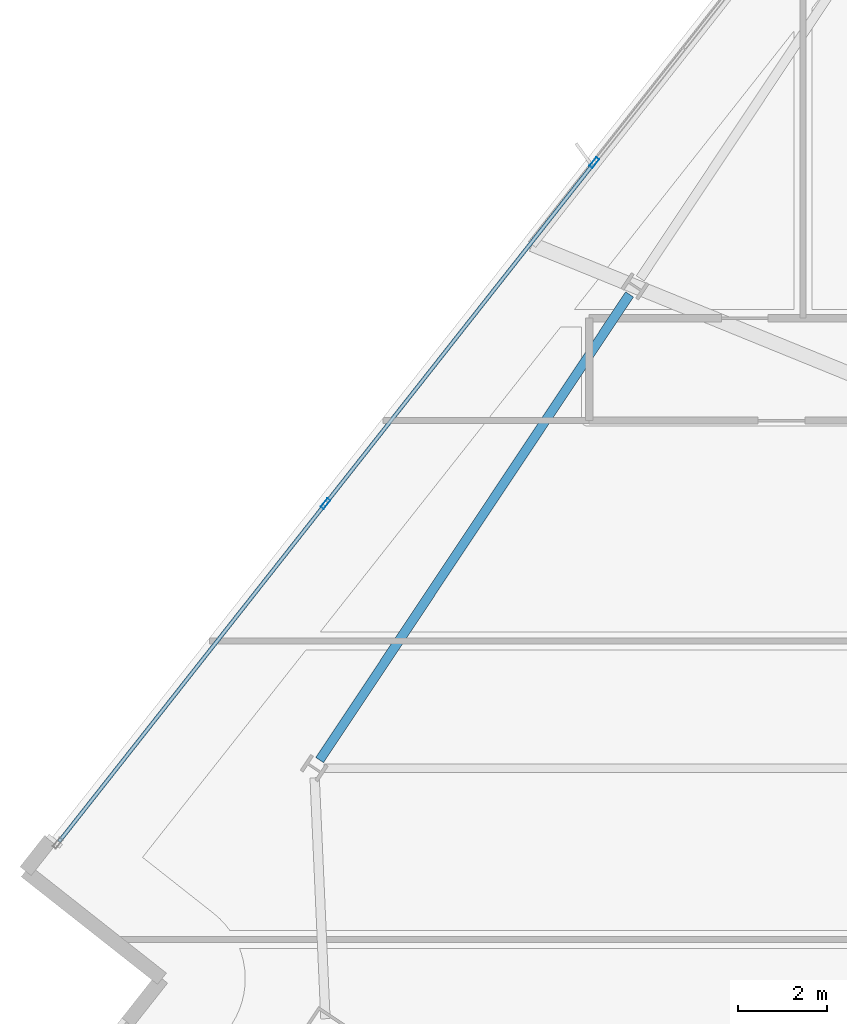
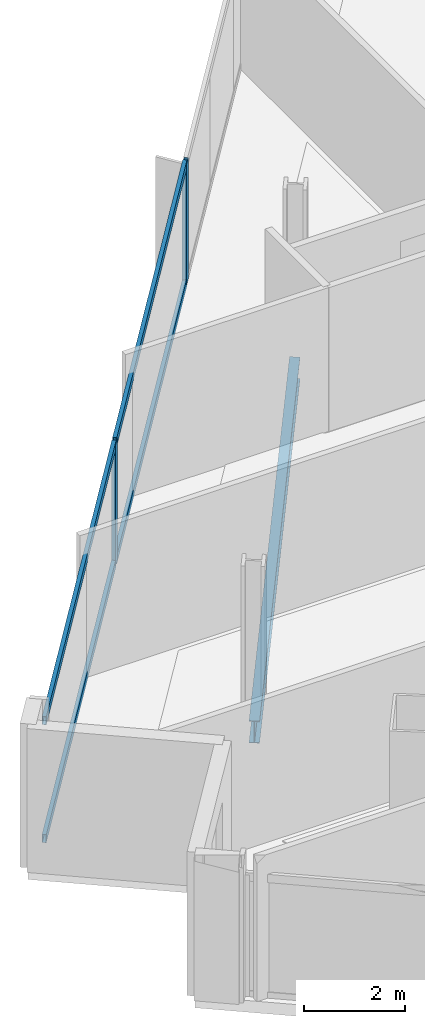
# One storey, part 13 of 28: 6 members, 1 beam, 1 element without a shape of its own.
"""IFC4 building model written with IfcOpenShell, lengths in metres."""

from ifc_helpers import new_model, si_unit, direction, frame, origin, origin_2d, place, context, subcontext, project, spatial, hollow_rectangle, i_section, extrude, material, material_profile, profile_set, type_object, element, aggregate, save


model = new_model("IFC4")

# Units and contexts
model_context = context("Model", 3, precision=1e-05, world=origin(), true_north=direction((0.0, 1.0)))
body_context = subcontext(model_context, "Body", "Model", "MODEL_VIEW")
ifc_project = project(units=[si_unit("LENGTHUNIT", "METRE"), si_unit("AREAUNIT", "SQUARE_METRE"), si_unit("VOLUMEUNIT", "CUBIC_METRE"), si_unit("PLANEANGLEUNIT", "RADIAN"), si_unit("MASSUNIT", "GRAM", prefix="KILO")], contexts=[model_context])

# Site, building, storey
site_placement = place(None, origin())
site = spatial("IfcSite", under=ifc_project, at=site_placement, CompositionType="ELEMENT")
building_placement = place(site_placement, origin())
building = spatial("IfcBuilding", under=site, at=building_placement, Name="Haldenkirk Collegiate Tower", CompositionType="ELEMENT")
storey_placement = place(building_placement, frame((0.0, 0.0, 202.199951171875)))
storey = spatial("IfcBuildingStorey", under=building, at=storey_placement, Name="L50", CompositionType="ELEMENT", Elevation=202.199951171875)

# Beam
ifc_material_1 = material(Name="Steel ASTM A992 Grade 50", Category="steel")
ifc_material_profile_1 = material_profile(ifc_material_1, i_section(OverallWidth=0.2099609375, OverallDepth=0.537109375, WebThickness=0.010986328125, FlangeThickness=0.017333984375, at=origin_2d()), Name="W21X68")
ifc_profile_set_1 = profile_set([ifc_material_profile_1], Name="Steel ASTM A992 Grade 50")
beam_type = type_object("IfcBeamType", Name="BM-SPANDREL-W21X68", PredefinedType="SPANDREL", material=ifc_profile_set_1)
beam_placement = place(storey_placement, frame((19.106201171875, 36.98486328125, -0.54833984375), z_axis=(-0.554117024454, -0.832438780458, 0.0), x_axis=(0.832438780458, -0.554117024454, 0.0)))
element("IfcBeam", 1, at=beam_placement, inside=storey, type_object=beam_type, Name="L50 perimeter spandrel beam 11", PredefinedType="SPANDREL", context=body_context, shape_type="SweptSolid", body=[
    extrude(i_section(OverallWidth=0.2099609375, OverallDepth=0.537109375, WebThickness=0.010986328125, FlangeThickness=0.017333984375, at=origin_2d()), origin(), (0.0, 0.0, 1.0), 12.562255859375),
])

# Curtain wall, members
ifc_material_2 = material(Name="Anodised architectural bronze aluminium", Category="aluminium")
curtain_wall_type = type_object("IfcCurtainWallType", Name="CW-SYS1B-CONVEX-HI", PredefinedType="USERDEFINED", material=ifc_material_2)
curtain_wall_placement = place(storey_placement, origin())
curtain_wall = element("IfcCurtainWall", 2, at=curtain_wall_placement, inside=storey, type_object=curtain_wall_type, Name="L50 Upper tower high-wind convex bronze unitised curtain wall", ObjectType="UNITISED CURTAIN WALL", PredefinedType="USERDEFINED")
ifc_material_profile_2 = material_profile(ifc_material_2, hollow_rectangle(XDim=0.0849609375, YDim=0.25, WallThickness=0.0048828125, at=origin_2d()), Name="CW-MUL-1B")
ifc_profile_set_2 = profile_set([ifc_material_profile_2], Name="Anodised architectural bronze aluminium")
member_type_1 = type_object("IfcMemberType", Name="CW-MUL-1B", PredefinedType="MULLION", material=ifc_profile_set_2)
member_1_placement = place(storey_placement, frame((12.278564453125, 32.28515625, 0.0), z_axis=(0.0, 0.0, 1.0), x_axis=(-0.785317136364, 0.619093688656, 0.0)))
member_1 = element("IfcMember", 3, at=member_1_placement, type_object=member_type_1, Name="CW-1B mullion 2", PredefinedType="MULLION", context=body_context, shape_type="SweptSolid", body=[
    extrude(hollow_rectangle(XDim=0.0849609375, YDim=0.25, WallThickness=0.0048828125, at=origin_2d()), origin(), (0.0, 0.0, 1.0), 2.927978515625),
])
member_2_placement = place(storey_placement, frame((18.314697265625, 39.942138671875, 0.0), z_axis=(0.0, 0.0, 1.0), x_axis=(-0.785317136364, 0.619093688656, 0.0)))
member_2 = element("IfcMember", 4, at=member_2_placement, type_object=member_type_1, Name="CW-1B mullion 3", PredefinedType="MULLION", context=body_context, shape_type="SweptSolid", body=[
    extrude(hollow_rectangle(XDim=0.0849609375, YDim=0.25, WallThickness=0.0048828125, at=origin_2d()), origin(), (0.0, 0.0, 1.0), 2.927978515625),
])
ifc_material_profile_3 = material_profile(ifc_material_2, hollow_rectangle(XDim=0.0849609375, YDim=0.199951171875, WallThickness=0.0048828125, at=origin_2d()), Name="CW-TRN-1B")
ifc_profile_set_3 = profile_set([ifc_material_profile_3], Name="Anodised architectural bronze aluminium")
member_type_2 = type_object("IfcMemberType", Name="CW-TRN-1B", PredefinedType="USERDEFINED", material=ifc_profile_set_3)
member_3_placement = place(storey_placement, frame((6.294921875, 24.695068359375, 0.04248046875), z_axis=(0.619088040001, 0.785321589368, 0.0), x_axis=(-0.785321589368, 0.619088040001, 0.0)))
member_3 = element("IfcMember", 5, at=member_3_placement, type_object=member_type_2, Name="CW-1B transom 1.1", ObjectType="TRANSOM", PredefinedType="USERDEFINED", context=body_context, shape_type="SweptSolid", body=[
    extrude(hollow_rectangle(XDim=0.0849609375, YDim=0.199951171875, WallThickness=0.0048828125, at=origin_2d()), origin(), (0.0, 0.0, 1.0), 9.62255859375),
])
member_4_placement = place(storey_placement, frame((6.294921875, 24.695068359375, 2.885498046875), z_axis=(0.619088040001, 0.785321589368, 0.0), x_axis=(-0.785321589368, 0.619088040001, 0.0)))
member_4 = element("IfcMember", 6, at=member_4_placement, type_object=member_type_2, Name="CW-1B transom 1.2", ObjectType="TRANSOM", PredefinedType="USERDEFINED", context=body_context, shape_type="SweptSolid", body=[
    extrude(hollow_rectangle(XDim=0.0849609375, YDim=0.199951171875, WallThickness=0.0048828125, at=origin_2d()), origin(), (0.0, 0.0, 1.0), 9.62255859375),
])
member_5_placement = place(storey_placement, frame((12.304931640625, 32.318603515625, 0.04248046875), z_axis=(0.619084735773, 0.78532419416, 0.0), x_axis=(-0.78532419416, 0.619084735773, 0.0)))
member_5 = element("IfcMember", 7, at=member_5_placement, type_object=member_type_2, Name="CW-1B transom 2.1", ObjectType="TRANSOM", PredefinedType="USERDEFINED", context=body_context, shape_type="SweptSolid", body=[
    extrude(hollow_rectangle(XDim=0.0849609375, YDim=0.199951171875, WallThickness=0.0048828125, at=origin_2d()), origin(), (0.0, 0.0, 1.0), 9.664794921875),
])
member_6_placement = place(storey_placement, frame((12.304931640625, 32.318603515625, 2.885498046875), z_axis=(0.619084735773, 0.78532419416, 0.0), x_axis=(-0.78532419416, 0.619084735773, 0.0)))
member_6 = element("IfcMember", 8, at=member_6_placement, type_object=member_type_2, Name="CW-1B transom 2.2", ObjectType="TRANSOM", PredefinedType="USERDEFINED", context=body_context, shape_type="SweptSolid", body=[
    extrude(hollow_rectangle(XDim=0.0849609375, YDim=0.199951171875, WallThickness=0.0048828125, at=origin_2d()), origin(), (0.0, 0.0, 1.0), 9.664794921875),
])
aggregate(curtain_wall, [member_1, member_2, member_3, member_4, member_5, member_6])

save(model, "model.ifc")
